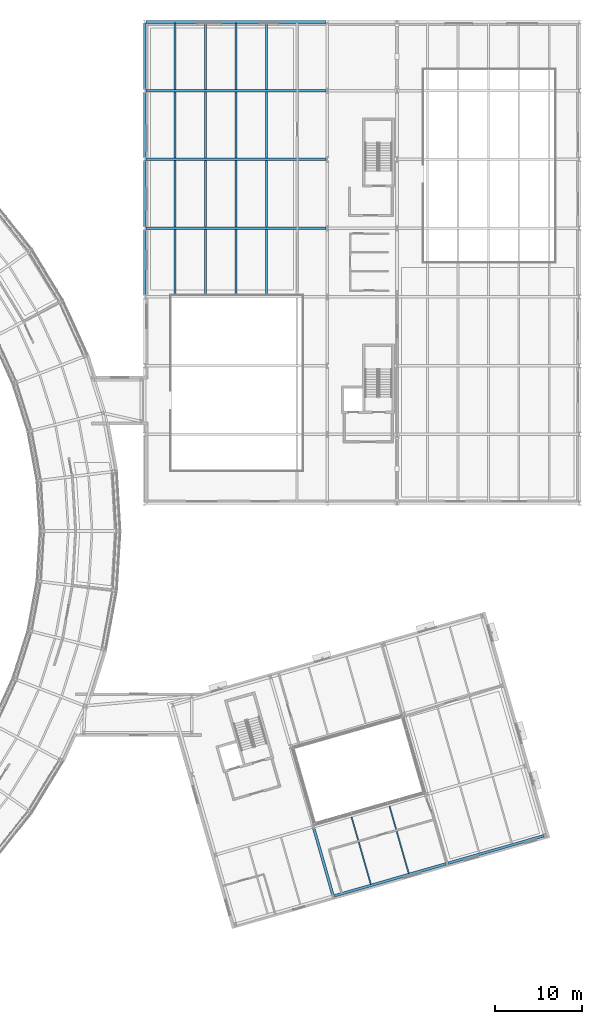
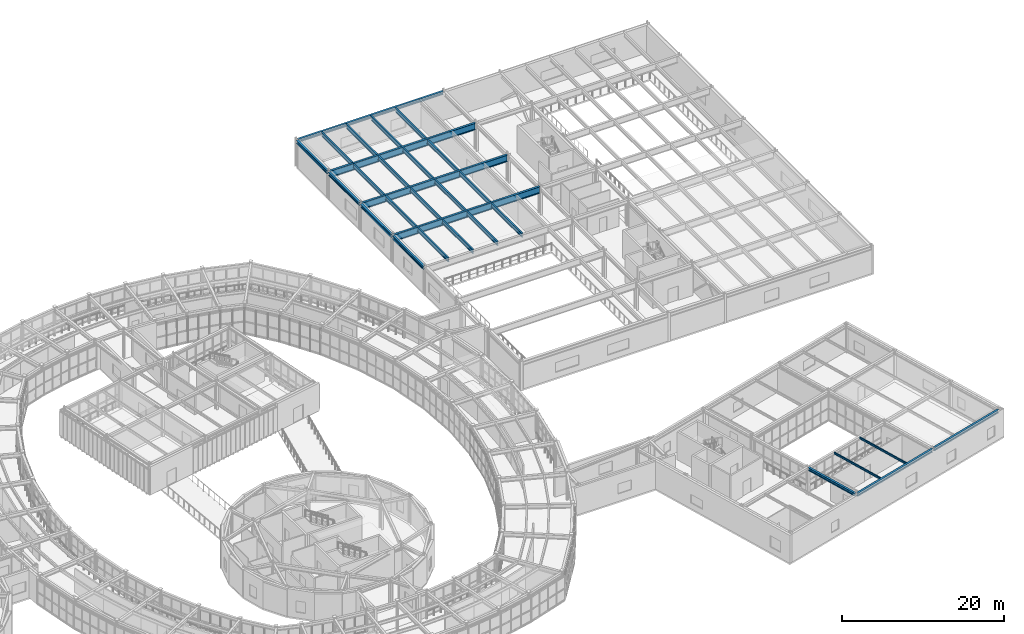
# One storey, part 52 of 103: 29 beams.
"""IFC4 building model written with IfcOpenShell, lengths in metres."""

from ifc_helpers import new_model, si_unit, direction, frame, origin, origin_2d, place, context, subcontext, project, spatial, i_section, extrude, material, material_profile, profile_set, type_object, element, save


model = new_model("IFC4")

# Units and contexts
model_context = context("Model", 3, precision=1e-05, world=origin(), true_north=direction((0.0, 1.0)))
body_context = subcontext(model_context, "Body", "Model", "MODEL_VIEW")
ifc_project = project(units=[si_unit("LENGTHUNIT", "METRE"), si_unit("AREAUNIT", "SQUARE_METRE"), si_unit("VOLUMEUNIT", "CUBIC_METRE"), si_unit("PLANEANGLEUNIT", "RADIAN"), si_unit("MASSUNIT", "GRAM", prefix="KILO")], contexts=[model_context])

# Site, building, storey
site_placement = place(None, origin())
site = spatial("IfcSite", under=ifc_project, at=site_placement, CompositionType="ELEMENT")
building_placement = place(site_placement, origin())
building = spatial("IfcBuilding", under=site, at=building_placement, Name="Varnklinge Art Gallery", CompositionType="ELEMENT")
storey_placement = place(building_placement, frame((0.0, 0.0, 5.10009765625)))
storey = spatial("IfcBuildingStorey", under=building, at=storey_placement, Name="L01", CompositionType="ELEMENT", Elevation=5.10009765625)

# Beams
ifc_material_1 = material(Name="Steel S355", Category="steel")
ifc_material_profile_1 = material_profile(ifc_material_1, i_section(OverallWidth=0.300048828125, OverallDepth=1.0, WebThickness=0.01904296875, FlangeThickness=0.035888671875, FilletRadius=0.030029296875, at=origin_2d()), Name="HEB 1000")
ifc_profile_set_1 = profile_set([ifc_material_profile_1], Name="Steel S355")
beam_type_1 = type_object("IfcBeamType", Name="BM-01", PredefinedType="BEAM", material=ifc_profile_set_1)
for number, where, z_axis, x_axis, name in (
    (1, (114.5400390625, 89.800048828125, 3.669921875), (1.0, 0.0, 0.0), (0.0, 1.0, 0.0), "L01 BM-01 BM-V1-L02-X4-0"),
    (2, (114.5400390625, 97.699951171875, 3.669921875), (1.0, 0.0, 0.0), (0.0, 1.0, 0.0), "L01 BM-01 BM-V1-L02-X5-0"),
    (3, (114.5400390625, 105.60009765625, 3.669921875), (1.0, 0.0, 0.0), (0.0, 1.0, 0.0), "L01 BM-01 BM-V1-L02-X6-0"),
):
    element("IfcBeam", number, at=place(storey_placement, frame(where, z_axis=z_axis, x_axis=x_axis)), inside=storey, type_object=beam_type_1, Name=name, PredefinedType="BEAM", context=body_context, shape_type="SweptSolid", body=[
        extrude(i_section(OverallWidth=0.300048828125, OverallDepth=1.0, WebThickness=0.01904296875, FlangeThickness=0.035888671875, FilletRadius=0.030029296875, at=origin_2d()), origin(), (0.0, 0.0, 1.0), 20.719970703125),
    ])
ifc_material_2 = material(Name="Steel S355", Category="steel")
ifc_material_profile_2 = material_profile(ifc_material_2, i_section(OverallWidth=0.300048828125, OverallDepth=0.489990234375, WebThickness=0.011962890625, FlangeThickness=0.02294921875, FilletRadius=0.027099609375, at=origin_2d()), Name="HEA 500")
ifc_profile_set_2 = profile_set([ifc_material_profile_2], Name="Steel S355")
beam_type_2 = type_object("IfcBeamType", Name="BM-07", PredefinedType="BEAM", material=ifc_profile_set_2)
beam_1_placement = place(storey_placement, frame((136.208984375, 13.07177734375, 3.954833984375), z_axis=(0.961262060229, 0.275636085381, 0.0), x_axis=(-0.275636085381, 0.961262060229, 0.0)))
element("IfcBeam", 4, at=beam_1_placement, inside=storey, type_object=beam_type_2, Name="L01 BM-07 BM-V6-L02-U0-1", PredefinedType="BEAM", context=body_context, shape_type="SweptSolid", body=[
    extrude(i_section(OverallWidth=0.300048828125, OverallDepth=0.489990234375, WebThickness=0.011962890625, FlangeThickness=0.02294921875, FilletRadius=0.027099609375, at=origin_2d()), origin(), (0.0, 0.0, 1.0), 13.319580078125),
])
beam_2_placement = place(storey_placement, frame((149.281982421875, 16.8203125, 3.954833984375), z_axis=(0.961257274888, 0.275652773383, 0.0), x_axis=(-0.275652773383, 0.961257274888, 0.0)))
element("IfcBeam", 5, at=beam_2_placement, inside=storey, type_object=beam_type_2, Name="L01 BM-07 BM-V6-L02-U0-2", PredefinedType="BEAM", context=body_context, shape_type="SweptSolid", body=[
    extrude(i_section(OverallWidth=0.300048828125, OverallDepth=0.489990234375, WebThickness=0.011962890625, FlangeThickness=0.02294921875, FilletRadius=0.027099609375, at=origin_2d()), origin(), (0.0, 0.0, 1.0), 11.419921875),
])
ifc_material_3 = material(Name="Steel S355", Category="steel")
ifc_material_profile_3 = material_profile(ifc_material_3, i_section(OverallWidth=0.300048828125, OverallDepth=0.43994140625, WebThickness=0.011474609375, FlangeThickness=0.02099609375, FilletRadius=0.027099609375, at=origin_2d()), Name="HEA 450")
ifc_profile_set_3 = profile_set([ifc_material_profile_3], Name="Steel S355")
beam_type_3 = type_object("IfcBeamType", Name="BM-08", PredefinedType="BEAM", material=ifc_profile_set_3)
beam_3_placement = place(storey_placement, frame((136.03564453125, 13.167724609375, 3.97998046875), z_axis=(-0.275621630307, 0.961266205016, 0.0), x_axis=(-0.961266205016, -0.275621630307, 0.0)))
element("IfcBeam", 6, at=beam_3_placement, inside=storey, type_object=beam_type_3, Name="L01 BM-08 BM-V6-L02-V1-0", PredefinedType="BEAM", context=body_context, shape_type="SweptSolid", body=[
    extrude(i_section(OverallWidth=0.300048828125, OverallDepth=0.43994140625, WebThickness=0.011474609375, FlangeThickness=0.02099609375, FilletRadius=0.027099609375, at=origin_2d()), origin(), (0.0, 0.0, 1.0), 8.019775390625),
])
ifc_material_4 = material(Name="Steel S355", Category="steel")
ifc_material_profile_4 = material_profile(ifc_material_4, i_section(OverallWidth=0.219970703125, OverallDepth=0.60009765625, WebThickness=0.011962890625, FlangeThickness=0.01904296875, FilletRadius=0.02392578125, at=origin_2d()), Name="IPE 600")
ifc_profile_set_4 = profile_set([ifc_material_profile_4], Name="Steel S355")
beam_type_4 = type_object("IfcBeamType", Name="JST-01", PredefinedType="JOIST", material=ifc_profile_set_4)
for number, where, z_axis, x_axis, name in (
    (7, (117.89990234375, 82.0400390625, 3.869873046875), (0.0, 1.0, 0.0), (-1.0, 0.0, 0.0), "L01 JST-01 JST-V1-L02-3-0-1"),
    (8, (121.39990234375, 82.0400390625, 3.869873046875), (0.0, 1.0, 0.0), (-1.0, 0.0, 0.0), "L01 JST-01 JST-V1-L02-3-0-2"),
    (9, (124.89990234375, 82.0400390625, 3.869873046875), (0.0, 1.0, 0.0), (-1.0, 0.0, 0.0), "L01 JST-01 JST-V1-L02-3-0-3"),
    (10, (128.39990234375, 82.0400390625, 3.869873046875), (0.0, 1.0, 0.0), (-1.0, 0.0, 0.0), "L01 JST-01 JST-V1-L02-3-0-4"),
):
    element("IfcBeam", number, at=place(storey_placement, frame(where, z_axis=z_axis, x_axis=x_axis)), inside=storey, type_object=beam_type_4, Name=name, PredefinedType="JOIST", context=body_context, shape_type="SweptSolid", body=[
        extrude(i_section(OverallWidth=0.219970703125, OverallDepth=0.60009765625, WebThickness=0.011962890625, FlangeThickness=0.01904296875, FilletRadius=0.02392578125, at=origin_2d()), origin(), (0.0, 0.0, 1.0), 7.619873046875),
    ])
for number, where, z_axis, x_axis, name in (
    (11, (117.89990234375, 89.93994140625, 3.869873046875), (0.0, 1.0, 0.0), (-1.0, 0.0, 0.0), "L01 JST-01 JST-V1-L02-4-0-1"),
    (12, (121.39990234375, 89.93994140625, 3.869873046875), (0.0, 1.0, 0.0), (-1.0, 0.0, 0.0), "L01 JST-01 JST-V1-L02-4-0-2"),
    (13, (124.89990234375, 89.93994140625, 3.869873046875), (0.0, 1.0, 0.0), (-1.0, 0.0, 0.0), "L01 JST-01 JST-V1-L02-4-0-3"),
    (14, (128.39990234375, 89.93994140625, 3.869873046875), (0.0, 1.0, 0.0), (-1.0, 0.0, 0.0), "L01 JST-01 JST-V1-L02-4-0-4"),
):
    element("IfcBeam", number, at=place(storey_placement, frame(where, z_axis=z_axis, x_axis=x_axis)), inside=storey, type_object=beam_type_4, Name=name, PredefinedType="JOIST", context=body_context, shape_type="SweptSolid", body=[
        extrude(i_section(OverallWidth=0.219970703125, OverallDepth=0.60009765625, WebThickness=0.011962890625, FlangeThickness=0.01904296875, FilletRadius=0.02392578125, at=origin_2d()), origin(), (0.0, 0.0, 1.0), 7.6201171875),
    ])
for number, where, z_axis, x_axis, name in (
    (15, (117.89990234375, 97.840087890625, 3.869873046875), (0.0, 1.0, 0.0), (-1.0, 0.0, 0.0), "L01 JST-01 JST-V1-L02-5-0-1"),
    (16, (121.39990234375, 97.840087890625, 3.869873046875), (0.0, 1.0, 0.0), (-1.0, 0.0, 0.0), "L01 JST-01 JST-V1-L02-5-0-2"),
    (17, (124.89990234375, 97.840087890625, 3.869873046875), (0.0, 1.0, 0.0), (-1.0, 0.0, 0.0), "L01 JST-01 JST-V1-L02-5-0-3"),
    (18, (128.39990234375, 97.840087890625, 3.869873046875), (0.0, 1.0, 0.0), (-1.0, 0.0, 0.0), "L01 JST-01 JST-V1-L02-5-0-4"),
):
    element("IfcBeam", number, at=place(storey_placement, frame(where, z_axis=z_axis, x_axis=x_axis)), inside=storey, type_object=beam_type_4, Name=name, PredefinedType="JOIST", context=body_context, shape_type="SweptSolid", body=[
        extrude(i_section(OverallWidth=0.219970703125, OverallDepth=0.60009765625, WebThickness=0.011962890625, FlangeThickness=0.01904296875, FilletRadius=0.02392578125, at=origin_2d()), origin(), (0.0, 0.0, 1.0), 7.619873046875),
    ])
for number, where, z_axis, x_axis, name in (
    (19, (117.89990234375, 105.739990234375, 3.869873046875), (0.0, 1.0, 0.0), (-1.0, 0.0, 0.0), "L01 JST-01 JST-V1-L02-6-0-1"),
    (20, (121.39990234375, 105.739990234375, 3.869873046875), (0.0, 1.0, 0.0), (-1.0, 0.0, 0.0), "L01 JST-01 JST-V1-L02-6-0-2"),
    (21, (124.89990234375, 105.739990234375, 3.869873046875), (0.0, 1.0, 0.0), (-1.0, 0.0, 0.0), "L01 JST-01 JST-V1-L02-6-0-3"),
    (22, (128.39990234375, 105.739990234375, 3.869873046875), (0.0, 1.0, 0.0), (-1.0, 0.0, 0.0), "L01 JST-01 JST-V1-L02-6-0-4"),
):
    element("IfcBeam", number, at=place(storey_placement, frame(where, z_axis=z_axis, x_axis=x_axis)), inside=storey, type_object=beam_type_4, Name=name, PredefinedType="JOIST", context=body_context, shape_type="SweptSolid", body=[
        extrude(i_section(OverallWidth=0.219970703125, OverallDepth=0.60009765625, WebThickness=0.011962890625, FlangeThickness=0.01904296875, FilletRadius=0.02392578125, at=origin_2d()), origin(), (0.0, 0.0, 1.0), 7.6201171875),
    ])
ifc_material_5 = material(Name="Steel S355", Category="steel")
ifc_material_profile_5 = material_profile(ifc_material_5, i_section(OverallWidth=0.14990234375, OverallDepth=0.300048828125, WebThickness=0.007080078125, FlangeThickness=0.0107421875, FilletRadius=0.014892578125, at=origin_2d()), Name="IPE 300")
ifc_profile_set_5 = profile_set([ifc_material_profile_5], Name="Steel S355")
beam_type_5 = type_object("IfcBeamType", Name="JST-08", PredefinedType="JOIST", material=ifc_profile_set_5)
beam_4_placement = place(storey_placement, frame((140.393310546875, 14.417236328125, 4.0498046875), z_axis=(-0.275613565062, 0.961268517509, 0.0), x_axis=(-0.961268517509, -0.275613565062, 0.0)))
element("IfcBeam", 23, at=beam_4_placement, inside=storey, type_object=beam_type_5, Name="L01 JST-08 JST-V6-L02-1-0-1", PredefinedType="JOIST", context=body_context, shape_type="SweptSolid", body=[
    extrude(i_section(OverallWidth=0.14990234375, OverallDepth=0.300048828125, WebThickness=0.007080078125, FlangeThickness=0.0107421875, FilletRadius=0.014892578125, at=origin_2d()), origin(), (0.0, 0.0, 1.0), 8.02001953125),
])
beam_5_placement = place(storey_placement, frame((144.751220703125, 15.666748046875, 4.0498046875), z_axis=(-0.2756416934, 0.961260452146, 0.0), x_axis=(-0.961260452146, -0.2756416934, 0.0)))
element("IfcBeam", 24, at=beam_5_placement, inside=storey, type_object=beam_type_5, Name="L01 JST-08 JST-V6-L02-1-0-2", PredefinedType="JOIST", context=body_context, shape_type="SweptSolid", body=[
    extrude(i_section(OverallWidth=0.14990234375, OverallDepth=0.300048828125, WebThickness=0.007080078125, FlangeThickness=0.0107421875, FilletRadius=0.014892578125, at=origin_2d()), origin(), (0.0, 0.0, 1.0), 8.020263671875),
])
ifc_material_6 = material(Name="Steel S355", Category="steel")
ifc_material_profile_6 = material_profile(ifc_material_6, i_section(OverallWidth=0.300048828125, OverallDepth=0.489990234375, WebThickness=0.011962890625, FlangeThickness=0.02294921875, FilletRadius=0.027099609375, at=origin_2d()), Name="HEA 500")
ifc_profile_set_6 = profile_set([ifc_material_profile_6], Name="Steel S355")
beam_type_6 = type_object("IfcBeamType", Name="SPB-01", PredefinedType="SPANDREL", material=ifc_profile_set_6)
beam_6_placement = place(storey_placement, frame((114.5400390625, 113.5, 3.9248046875), z_axis=(1.0, 0.0, 0.0), x_axis=(0.0, 1.0, 0.0)))
element("IfcBeam", 25, at=beam_6_placement, inside=storey, type_object=beam_type_6, Name="L01 SPB-01 BM-V1-L02-X7-0", PredefinedType="SPANDREL", context=body_context, shape_type="SweptSolid", body=[
    extrude(i_section(OverallWidth=0.300048828125, OverallDepth=0.489990234375, WebThickness=0.011962890625, FlangeThickness=0.02294921875, FilletRadius=0.027099609375, at=origin_2d()), origin(), (0.0, 0.0, 1.0), 20.719970703125),
])
beam_7_placement = place(storey_placement, frame((114.39990234375, 82.0400390625, 3.9248046875), z_axis=(0.0, 1.0, 0.0), x_axis=(-1.0, 0.0, 0.0)))
element("IfcBeam", 26, at=beam_7_placement, inside=storey, type_object=beam_type_6, Name="L01 SPB-01 BM-V1-L02-Y0-3", PredefinedType="SPANDREL", context=body_context, shape_type="SweptSolid", body=[
    extrude(i_section(OverallWidth=0.300048828125, OverallDepth=0.489990234375, WebThickness=0.011962890625, FlangeThickness=0.02294921875, FilletRadius=0.027099609375, at=origin_2d()), origin(), (0.0, 0.0, 1.0), 7.619873046875),
])
beam_8_placement = place(storey_placement, frame((114.39990234375, 89.93994140625, 3.9248046875), z_axis=(0.0, 1.0, 0.0), x_axis=(-1.0, 0.0, 0.0)))
element("IfcBeam", 27, at=beam_8_placement, inside=storey, type_object=beam_type_6, Name="L01 SPB-01 BM-V1-L02-Y0-4", PredefinedType="SPANDREL", context=body_context, shape_type="SweptSolid", body=[
    extrude(i_section(OverallWidth=0.300048828125, OverallDepth=0.489990234375, WebThickness=0.011962890625, FlangeThickness=0.02294921875, FilletRadius=0.027099609375, at=origin_2d()), origin(), (0.0, 0.0, 1.0), 7.6201171875),
])
beam_9_placement = place(storey_placement, frame((114.39990234375, 97.840087890625, 3.9248046875), z_axis=(0.0, 1.0, 0.0), x_axis=(-1.0, 0.0, 0.0)))
element("IfcBeam", 28, at=beam_9_placement, inside=storey, type_object=beam_type_6, Name="L01 SPB-01 BM-V1-L02-Y0-5", PredefinedType="SPANDREL", context=body_context, shape_type="SweptSolid", body=[
    extrude(i_section(OverallWidth=0.300048828125, OverallDepth=0.489990234375, WebThickness=0.011962890625, FlangeThickness=0.02294921875, FilletRadius=0.027099609375, at=origin_2d()), origin(), (0.0, 0.0, 1.0), 7.619873046875),
])
beam_10_placement = place(storey_placement, frame((114.39990234375, 105.739990234375, 3.9248046875), z_axis=(0.0, 1.0, 0.0), x_axis=(-1.0, 0.0, 0.0)))
element("IfcBeam", 29, at=beam_10_placement, inside=storey, type_object=beam_type_6, Name="L01 SPB-01 BM-V1-L02-Y0-6", PredefinedType="SPANDREL", context=body_context, shape_type="SweptSolid", body=[
    extrude(i_section(OverallWidth=0.300048828125, OverallDepth=0.489990234375, WebThickness=0.011962890625, FlangeThickness=0.02294921875, FilletRadius=0.027099609375, at=origin_2d()), origin(), (0.0, 0.0, 1.0), 7.6201171875),
])

save(model, "model.ifc")
